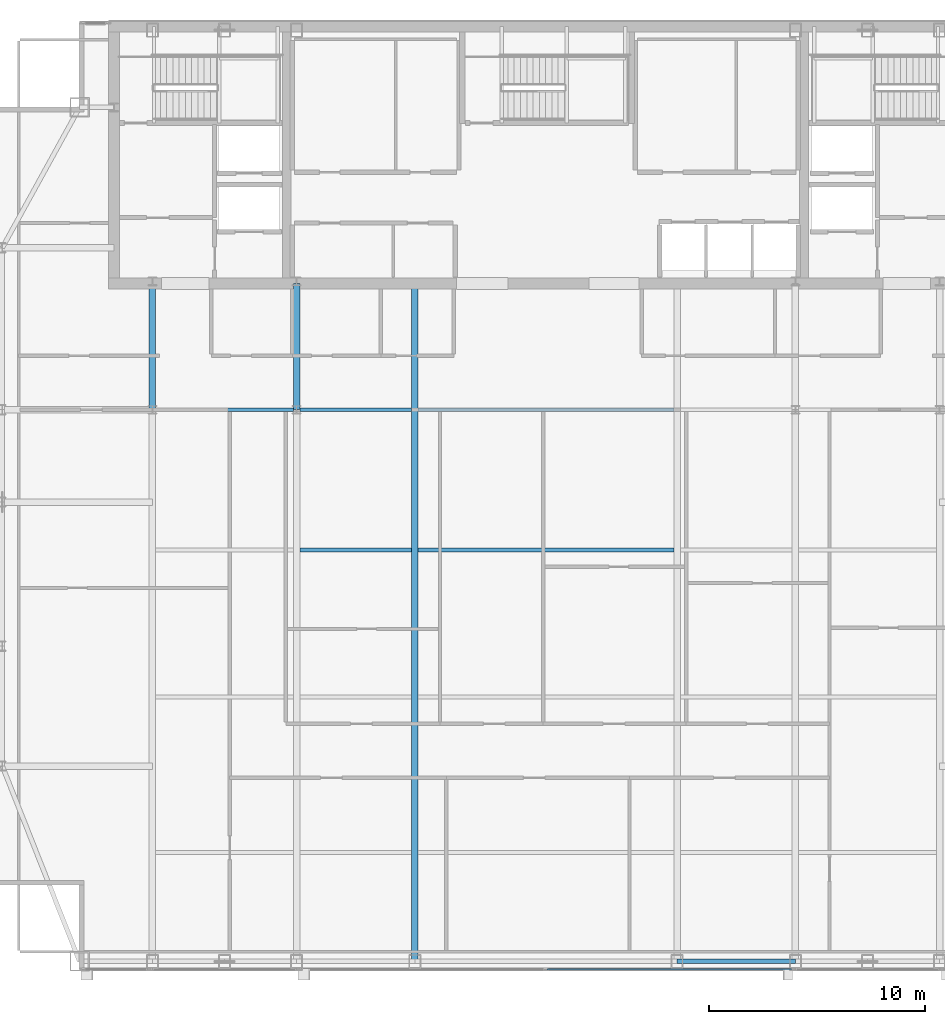
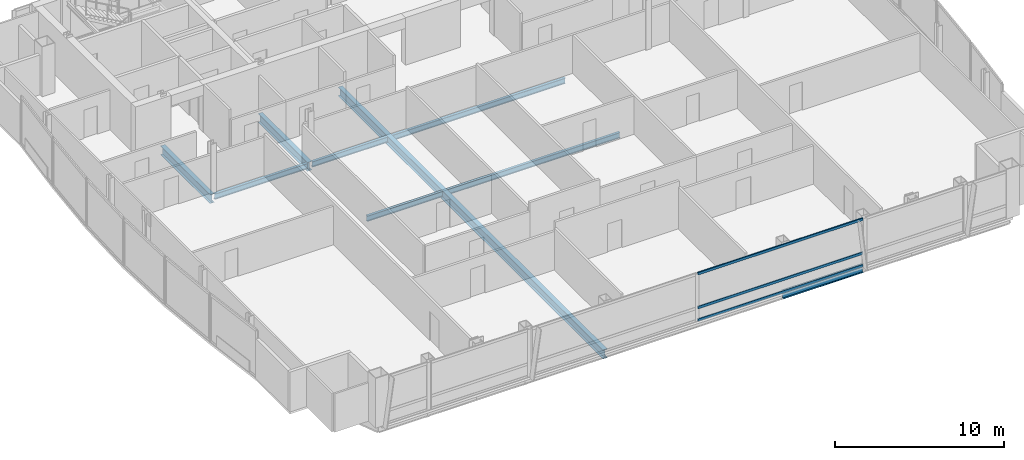
# One storey, part 10 of 25: 9 beams, 3 members, 1 element without a shape of its own.
"""IFC4 building model written with IfcOpenShell, lengths in metres."""

from ifc_helpers import new_model, si_unit, direction, frame, origin, origin_2d, place, context, subcontext, project, spatial, hollow_rectangle, i_section, extrude, material, material_profile, profile_set, type_object, element, aggregate, save


model = new_model("IFC4")

# Units and contexts
model_context = context("Model", 3, precision=1e-05, world=origin(), true_north=direction((0.0, 1.0)))
body_context = subcontext(model_context, "Body", "Model", "MODEL_VIEW")
ifc_project = project(units=[si_unit("LENGTHUNIT", "METRE"), si_unit("AREAUNIT", "SQUARE_METRE"), si_unit("VOLUMEUNIT", "CUBIC_METRE"), si_unit("PLANEANGLEUNIT", "RADIAN"), si_unit("MASSUNIT", "GRAM", prefix="KILO")], contexts=[model_context])

# Site, building, storey
site_placement = place(None, origin())
site = spatial("IfcSite", under=ifc_project, at=site_placement, CompositionType="ELEMENT")
building_placement = place(site_placement, origin())
building = spatial("IfcBuilding", under=site, at=building_placement, Name="Khoronbel Lancet Exchange", CompositionType="ELEMENT")
storey_placement = place(building_placement, frame((0.0, 0.0, 298.60009765625)))
storey = spatial("IfcBuildingStorey", under=building, at=storey_placement, Name="L77", CompositionType="ELEMENT", Elevation=298.60009765625)

# Beams
ifc_material_1 = material(Name="Steel S355", Category="steel")
ifc_material_profile_1 = material_profile(ifc_material_1, i_section(OverallWidth=0.300048828125, OverallDepth=0.64990234375, WebThickness=0.01611328125, FlangeThickness=0.031005859375, at=origin_2d()), Name="HEB 650")
ifc_profile_set_1 = profile_set([ifc_material_profile_1], Name="Steel S355")
beam_type_1 = type_object("IfcBeamType", Name="BM-BG4", PredefinedType="BEAM", material=ifc_profile_set_1)
for number, where, z_axis, x_axis, name in (
    (1, (18.22509765625, 35.699951171875, -0.485107421875), (0.0, 1.0, 0.0), (-1.0, 0.0, 0.0), "Level L77 spine tie girder GN1"),
    (2, (24.89990234375, 35.699951171875, -0.485107421875), (0.0, 1.0, 0.0), (-1.0, 0.0, 0.0), "Level L77 spine tie girder GN2"),
):
    element("IfcBeam", number, at=place(storey_placement, frame(where, z_axis=z_axis, x_axis=x_axis)), inside=storey, type_object=beam_type_1, Name=name, PredefinedType="BEAM", context=body_context, shape_type="SweptSolid", body=[
        extrude(i_section(OverallWidth=0.300048828125, OverallDepth=0.64990234375, WebThickness=0.01611328125, FlangeThickness=0.031005859375, at=origin_2d()), origin(), (0.0, 0.0, 1.0), 5.85009765625),
    ])
beam_1_placement = place(storey_placement, frame((30.375, 10.14990234375, -0.485107421875), z_axis=(0.0, 1.0, 0.0), x_axis=(-1.0, 0.0, 0.0)))
element("IfcBeam", 3, at=beam_1_placement, inside=storey, type_object=beam_type_1, Name="Level L77 primary floor girder G3", PredefinedType="BEAM", context=body_context, shape_type="SweptSolid", body=[
    extrude(i_section(OverallWidth=0.300048828125, OverallDepth=0.64990234375, WebThickness=0.01611328125, FlangeThickness=0.031005859375, at=origin_2d()), origin(), (0.0, 0.0, 1.0), 31.400146484375),
])
ifc_material_profile_2 = material_profile(ifc_material_1, i_section(OverallWidth=0.179931640625, OverallDepth=0.39990234375, WebThickness=0.008544921875, FlangeThickness=0.013427734375, at=origin_2d()), Name="IPE 400")
ifc_profile_set_2 = profile_set([ifc_material_profile_2], Name="Steel S355")
beam_type_2 = type_object("IfcBeamType", Name="BM-BJ5", PredefinedType="JOIST", material=ifc_profile_set_2)
beam_2_placement = place(storey_placement, frame((25.050048828125, 29.199951171875, -0.360107421875), z_axis=(1.0, 0.0, 0.0), x_axis=(0.0, 1.0, 0.0)))
element("IfcBeam", 4, at=beam_2_placement, inside=storey, type_object=beam_type_2, Name="Level L77 secondary composite joist J12", PredefinedType="JOIST", context=body_context, shape_type="SweptSolid", body=[
    extrude(i_section(OverallWidth=0.179931640625, OverallDepth=0.39990234375, WebThickness=0.008544921875, FlangeThickness=0.013427734375, at=origin_2d()), origin(), (0.0, 0.0, 1.0), 5.175048828125),
])
beam_3_placement = place(storey_placement, frame((30.52490234375, 29.199951171875, -0.360107421875), z_axis=(1.0, 0.0, 0.0), x_axis=(0.0, 1.0, 0.0)))
element("IfcBeam", 5, at=beam_3_placement, inside=storey, type_object=beam_type_2, Name="Level L77 secondary composite joist J13", PredefinedType="JOIST", context=body_context, shape_type="SweptSolid", body=[
    extrude(i_section(OverallWidth=0.179931640625, OverallDepth=0.39990234375, WebThickness=0.008544921875, FlangeThickness=0.013427734375, at=origin_2d()), origin(), (0.0, 0.0, 1.0), 11.85009765625),
])
beam_4_placement = place(storey_placement, frame((18.375, 35.699951171875, -0.360107421875), z_axis=(1.0, 0.0, 0.0), x_axis=(0.0, 1.0, 0.0)))
element("IfcBeam", 6, at=beam_4_placement, inside=storey, type_object=beam_type_2, Name="Level L77 secondary composite joist J16", PredefinedType="JOIST", context=body_context, shape_type="SweptSolid", body=[
    extrude(i_section(OverallWidth=0.179931640625, OverallDepth=0.39990234375, WebThickness=0.008544921875, FlangeThickness=0.013427734375, at=origin_2d()), origin(), (0.0, 0.0, 1.0), 6.375),
])
beam_5_placement = place(storey_placement, frame((25.050048828125, 35.699951171875, -0.360107421875), z_axis=(1.0, 0.0, 0.0), x_axis=(0.0, 1.0, 0.0)))
element("IfcBeam", 7, at=beam_5_placement, inside=storey, type_object=beam_type_2, Name="Level L77 secondary composite joist J17", PredefinedType="JOIST", context=body_context, shape_type="SweptSolid", body=[
    extrude(i_section(OverallWidth=0.179931640625, OverallDepth=0.39990234375, WebThickness=0.008544921875, FlangeThickness=0.013427734375, at=origin_2d()), origin(), (0.0, 0.0, 1.0), 5.175048828125),
])
beam_6_placement = place(storey_placement, frame((30.52490234375, 35.699951171875, -0.360107421875), z_axis=(1.0, 0.0, 0.0), x_axis=(0.0, 1.0, 0.0)))
element("IfcBeam", 8, at=beam_6_placement, inside=storey, type_object=beam_type_2, Name="Level L77 secondary composite joist J18", PredefinedType="JOIST", context=body_context, shape_type="SweptSolid", body=[
    extrude(i_section(OverallWidth=0.179931640625, OverallDepth=0.39990234375, WebThickness=0.008544921875, FlangeThickness=0.013427734375, at=origin_2d()), origin(), (0.0, 0.0, 1.0), 11.85009765625),
])
ifc_material_profile_3 = material_profile(ifc_material_1, i_section(OverallWidth=0.2099609375, OverallDepth=0.550048828125, WebThickness=0.010986328125, FlangeThickness=0.01708984375, at=origin_2d()), Name="IPE 550")
ifc_profile_set_3 = profile_set([ifc_material_profile_3], Name="Steel S355")
beam_type_3 = type_object("IfcBeamType", Name="BM-BSP3", PredefinedType="SPANDREL", material=ifc_profile_set_3)
beam_7_placement = place(storey_placement, frame((42.52490234375, 10.14990234375, -0.43505859375), z_axis=(1.0, 0.0, 0.0), x_axis=(0.0, 1.0, 0.0)))
element("IfcBeam", 9, at=beam_7_placement, inside=storey, type_object=beam_type_3, Name="Level L77 perimeter spandrel beam SP06", PredefinedType="SPANDREL", context=body_context, shape_type="SweptSolid", body=[
    extrude(i_section(OverallWidth=0.2099609375, OverallDepth=0.550048828125, WebThickness=0.010986328125, FlangeThickness=0.01708984375, at=origin_2d()), origin(), (0.0, 0.0, 1.0), 5.47509765625),
])

# Curtain wall, members
ifc_material_2 = material(Name="Low-E Solar Control Insulating Glass", Category="glass")
curtain_wall_type = type_object("IfcCurtainWallType", Name="CW-3", PredefinedType="NOTDEFINED", material=ifc_material_2)
curtain_wall_placement = place(storey_placement, origin())
curtain_wall = element("IfcCurtainWall", 10, at=curtain_wall_placement, inside=storey, type_object=curtain_wall_type, Name="Unitised curtain wall CW-L77-SCV", PredefinedType="NOTDEFINED")
ifc_material_3 = material(Name="Bronze-Anodised Aluminium 6063-T6", Category="aluminium")
ifc_material_profile_4 = material_profile(ifc_material_3, hollow_rectangle(XDim=0.0849609375, YDim=0.179931640625, WallThickness=0.0048828125, at=origin_2d()), Name="ALU TRANSOM 85x180")
ifc_profile_set_4 = profile_set([ifc_material_profile_4], Name="Bronze-Anodised Aluminium 6063-T6")
member_type = type_object("IfcMemberType", Name="MEM-CWT1", PredefinedType="USERDEFINED", material=ifc_profile_set_4)
member_1_placement = place(storey_placement, frame((36.492431640625, 9.7900390625, 0.04248046875), z_axis=(1.0, 0.0, 0.0), x_axis=(0.0, 1.0, 0.0)))
member_1 = element("IfcMember", 11, at=member_1_placement, type_object=member_type, Name="CW3 transom 2.1", ObjectType="TRANSOM", PredefinedType="USERDEFINED", context=body_context, shape_type="SweptSolid", body=[
    extrude(hollow_rectangle(XDim=0.0849609375, YDim=0.179931640625, WallThickness=0.0048828125, at=origin_2d()), origin(), (0.0, 0.0, 1.0), 11.322509765625),
])
member_2_placement = place(storey_placement, frame((36.492431640625, 9.7900390625, 0.949951171875), z_axis=(1.0, 0.0, 0.0), x_axis=(0.0, 1.0, 0.0)))
member_2 = element("IfcMember", 12, at=member_2_placement, type_object=member_type, Name="CW3 transom 2.2", ObjectType="TRANSOM", PredefinedType="USERDEFINED", context=body_context, shape_type="SweptSolid", body=[
    extrude(hollow_rectangle(XDim=0.0849609375, YDim=0.179931640625, WallThickness=0.0048828125, at=origin_2d()), origin(), (0.0, 0.0, 1.0), 11.322509765625),
])
member_3_placement = place(storey_placement, frame((36.492431640625, 9.7900390625, 3.3974609375), z_axis=(1.0, 0.0, 0.0), x_axis=(0.0, 1.0, 0.0)))
member_3 = element("IfcMember", 13, at=member_3_placement, type_object=member_type, Name="CW3 transom 2.3", ObjectType="TRANSOM", PredefinedType="USERDEFINED", context=body_context, shape_type="SweptSolid", body=[
    extrude(hollow_rectangle(XDim=0.0849609375, YDim=0.179931640625, WallThickness=0.0048828125, at=origin_2d()), origin(), (0.0, 0.0, 1.0), 11.322509765625),
])
aggregate(curtain_wall, [member_1, member_2, member_3])

save(model, "model.ifc")
